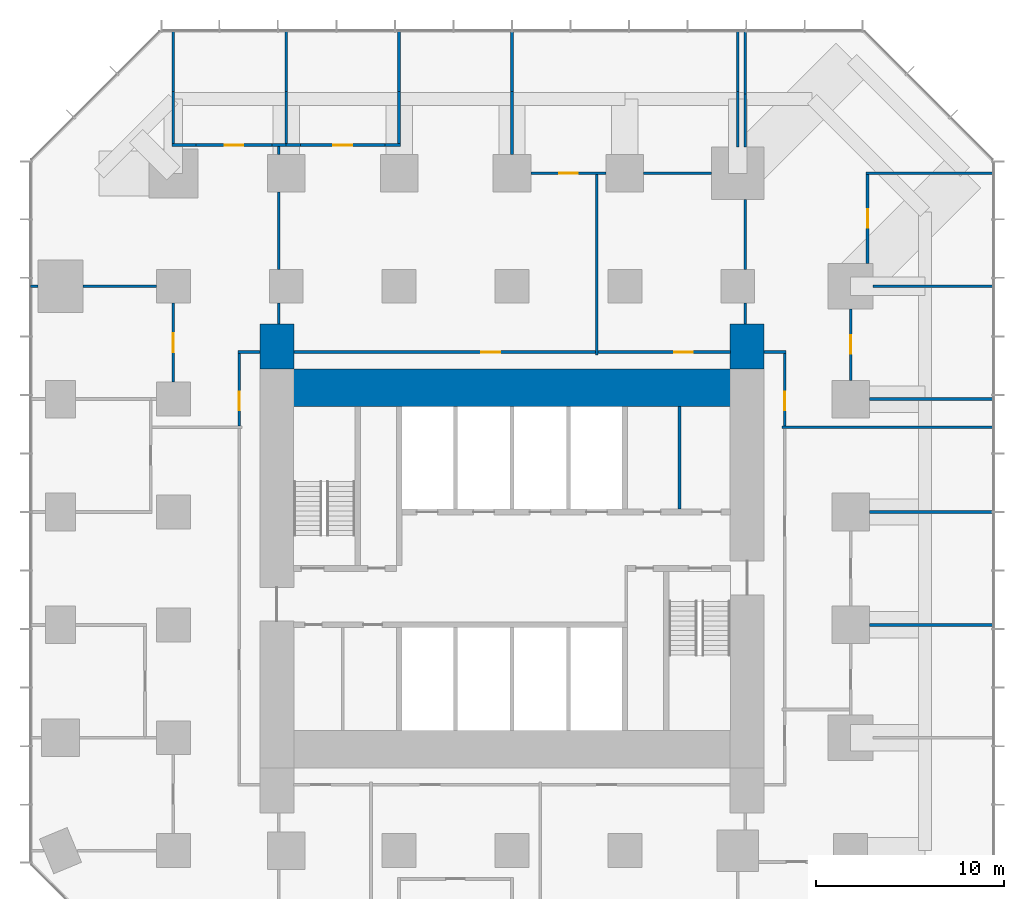
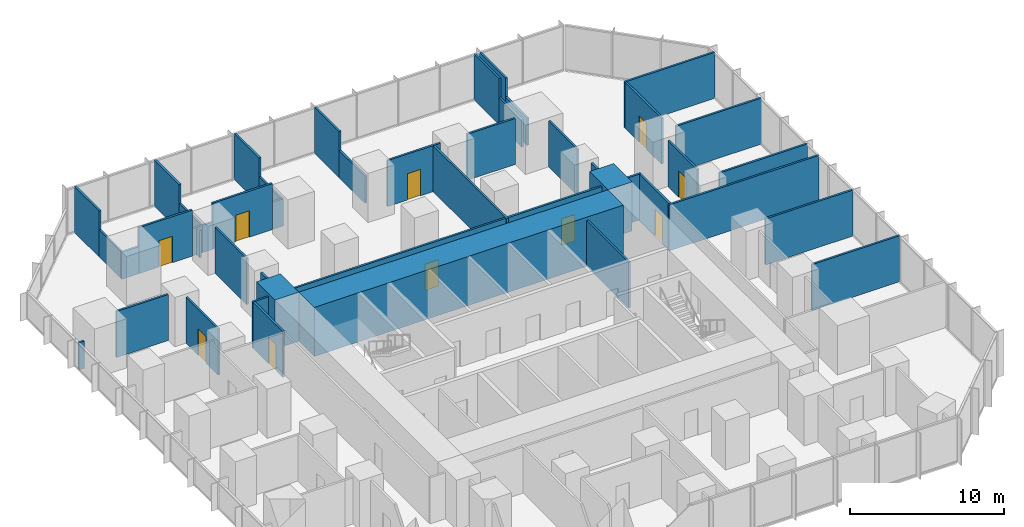
# One storey, part 11 of 13: 47 walls, 10 doors, 10 openings.
"""IFC4 building model written with IfcOpenShell, lengths in metres."""

import ifcopenshell
import ifcopenshell.guid

model = None  # the IFC model being written
_history = None  # IfcOwnerHistory: only IFC2X3 demands one
_inside = {}  # id of a spatial element -> (the spatial element, [elements in it])
_under = {}  # id of a project, library or spatial element -> (it, [spatial elements below it])
_declared = {}  # id of a project -> (the project, [libraries it declares])
_typed = {}  # id of a type object -> (the type object, [elements of that type])
_made_of = {}  # id of a material, layer set ... -> (it, [elements and type objects made of it])


def new_model(schema):
    """Start an empty IFC model of exactly this schema.

    Asked for "IFC4X3", IfcOpenShell would pick the latest addendum, in which some entities
    have other attributes; the version numbers below select the first issue.
    IFC2X3 requires an IfcOwnerHistory on every rooted entity: one is made here for all.
    """
    global model, _history
    if schema == "IFC4X3":
        model = ifcopenshell.file(schema_version=(4, 3, 0, 0))
    else:
        model = ifcopenshell.file(schema=schema)
    _inside.clear()
    _under.clear()
    _declared.clear()
    _typed.clear()
    _made_of.clear()
    _history = None
    if model.schema == "IFC2X3":
        org = make("IfcOrganization", Name="unknown")
        user = make(
            "IfcPersonAndOrganization",
            ThePerson=make("IfcPerson", FamilyName="unknown"),
            TheOrganization=org,
        )
        app = make(
            "IfcApplication",
            ApplicationDeveloper=org,
            Version="unknown",
            ApplicationFullName="unknown",
            ApplicationIdentifier="unknown",
        )
        _history = make(
            "IfcOwnerHistory",
            OwningUser=user,
            OwningApplication=app,
            ChangeAction="ADDED",
            CreationDate=0,
        )
    return model


def make(cls, **values):
    """One entity of the class cls with the attributes given. An attribute that is None is left unset."""
    return model.create_entity(
        cls, **{name: value for name, value in values.items() if value is not None}
    )


def rooted(cls, **values):
    """An entity with a GlobalId (a new one), such as an element, a storey or a relation."""
    return make(cls, GlobalId=ifcopenshell.guid.new(), OwnerHistory=_history, **values)


def si_unit(unit_type, name, prefix=None):
    """IfcSIUnit, for example si_unit("LENGTHUNIT", "METRE", prefix="MILLI")."""
    return make("IfcSIUnit", UnitType=unit_type, Prefix=prefix, Name=name)


def assignment(units):
    """IfcUnitAssignment: the units of a project."""
    return None if units is None else make("IfcUnitAssignment", Units=units)


def point(xyz):
    """IfcCartesianPoint."""
    return None if xyz is None else make("IfcCartesianPoint", Coordinates=xyz)


def direction(xyz):
    """IfcDirection."""
    return None if xyz is None else make("IfcDirection", DirectionRatios=xyz)


def frame(location, z_axis=None, x_axis=None):
    """IfcAxis2Placement3D, a coordinate frame: its origin and axes. An axis left out is left unset."""
    return make(
        "IfcAxis2Placement3D",
        Location=point(location),
        Axis=direction(z_axis),
        RefDirection=direction(x_axis),
    )


def frame_2d(location, x_axis=None):
    """IfcAxis2Placement2D, a coordinate frame in the plane: its origin and x axis."""
    return make(
        "IfcAxis2Placement2D", Location=point(location), RefDirection=direction(x_axis)
    )


def origin():
    """The frame at (0, 0, 0) with its axes left unset."""
    return frame((0.0, 0.0, 0.0))


def place(relative_to, where):
    """IfcLocalPlacement: puts the frame where relative to a parent placement (None: the world)."""
    return make(
        "IfcLocalPlacement", PlacementRelTo=relative_to, RelativePlacement=where
    )


def context(
    kind, dimensions, precision=None, world=None, true_north=None, identifier=None
):
    """IfcGeometricRepresentationContext, for example the 3D "Model" context."""
    return make(
        "IfcGeometricRepresentationContext",
        ContextIdentifier=identifier,
        ContextType=kind,
        CoordinateSpaceDimension=dimensions,
        Precision=precision,
        WorldCoordinateSystem=world,
        TrueNorth=true_north,
    )


def subcontext(parent, identifier, kind, view, scale=None):
    """IfcGeometricRepresentationSubContext, for example "Body" below "Model"."""
    return make(
        "IfcGeometricRepresentationSubContext",
        ContextIdentifier=identifier,
        ContextType=kind,
        ParentContext=parent,
        TargetScale=scale,
        TargetView=view,
    )


def project(units=None, contexts=None):
    """IfcProject with its units and contexts."""
    return rooted(
        "IfcProject",
        Name="project",
        RepresentationContexts=contexts,
        UnitsInContext=assignment(units),
    )


def spatial(cls, under=None, at=None, **own):
    """A site, building, storey or space (cls), placed at a placement, below another one or the project."""
    s = rooted(cls, ObjectPlacement=at, **own)
    if under is not None:
        _under.setdefault(under.id(), (under, []))[1].append(s)
    return s


def profile(cls, at=None, kind="AREA", **sizes):
    """A parametric profile (cls). Its sizes go by their IFC names, for example OverallWidth=200.0."""
    return make(cls, ProfileType=kind, Position=at, **sizes)


def rectangle(**sizes):
    """IfcRectangleProfileDef."""
    return profile("IfcRectangleProfileDef", **sizes)


def extrude(swept, where, along, depth):
    """IfcExtrudedAreaSolid: the profile swept, set in the frame where, extruded along a direction by depth."""
    return make(
        "IfcExtrudedAreaSolid",
        SweptArea=swept,
        Position=where,
        ExtrudedDirection=direction(along),
        Depth=depth,
    )


def shape(context_of_items, identifier, shape_type, items):
    """IfcShapeRepresentation: the items that make up one representation, for example the "Body"."""
    return make(
        "IfcShapeRepresentation",
        ContextOfItems=context_of_items,
        RepresentationIdentifier=identifier,
        RepresentationType=shape_type,
        Items=items,
    )


def material(Name=None, Category=None):
    """IfcMaterial."""
    return make("IfcMaterial", Name=Name, Category=Category)


def layer(
    of_material, thickness, ventilated=None, Name=None, Category=None, Priority=None
):
    """IfcMaterialLayer: one layer of a wall or slab, of a material (None: an air gap)."""
    return make(
        "IfcMaterialLayer",
        Material=of_material,
        LayerThickness=thickness,
        IsVentilated=ventilated,
        Name=Name,
        Category=Category,
        Priority=Priority,
    )


def layer_set(layers, Name=None):
    """IfcMaterialLayerSet."""
    return make("IfcMaterialLayerSet", MaterialLayers=layers, LayerSetName=Name)


def made_of(thing, what):
    """Note that an element or type object is made of a material, layer set ...; save() writes the relation."""
    if what is not None:
        _made_of.setdefault(what.id(), (what, []))[1].append(thing)
    return thing


def type_object(cls, material=None, **own):
    """A type object (cls), such as IfcWallType, which elements share."""
    return made_of(rooted(cls, **own), material)


def element(
    cls,
    number,
    at=None,
    inside=None,
    cuts=None,
    type_object=None,
    material=None,
    context=None,
    identifier="Body",
    shape_type=None,
    held_by="IfcProductDefinitionShape",
    body=None,
    shapes=None,
    **own,
):
    """One element of the class cls, such as IfcWall. Its Tag is "e" and its number.

    at: its placement. inside: the storey or other place that contains it. cuts: it is an
    opening in that element (IfcRelVoidsElement). A single representation is given by context,
    identifier, shape_type and body (its items); several are given by shapes. held_by: the class
    of the entity that holds the representations. save() writes the other relations.
    """
    e = rooted(cls, Tag="e%d" % number, ObjectPlacement=at, **own)
    if body is not None:
        shapes = [shape(context, identifier, shape_type, body)]
    if shapes is not None:
        e.Representation = make(held_by, Representations=shapes)
    if inside is not None:
        _inside.setdefault(inside.id(), (inside, []))[1].append(e)
    if cuts is not None:
        rooted(
            "IfcRelVoidsElement", RelatingBuildingElement=cuts, RelatedOpeningElement=e
        )
    if type_object is not None:
        _typed.setdefault(type_object.id(), (type_object, []))[1].append(e)
    return made_of(e, material)


def fill(opening, filler):
    """IfcRelFillsElement: the door or window that sits in an opening."""
    return rooted(
        "IfcRelFillsElement",
        RelatingOpeningElement=opening,
        RelatedBuildingElement=filler,
    )


def aggregate(whole, parts):
    """IfcRelAggregates: a whole, such as a stair, and the parts it consists of."""
    return rooted("IfcRelAggregates", RelatingObject=whole, RelatedObjects=parts)


def save(model, path):
    """Write the relations noted so far, then the file.

    IfcRelAggregates (storeys below a building ...), IfcRelContainedInSpatialStructure (elements
    in a storey), IfcRelDefinesByType, IfcRelAssociatesMaterial and IfcRelDeclares: one each for
    every whole, place, type object, material and project.
    """
    for whole, parts in _under.values():
        aggregate(whole, parts)
    for where, things in _inside.values():
        rooted(
            "IfcRelContainedInSpatialStructure",
            RelatedElements=things,
            RelatingStructure=where,
        )
    for kind, things in _typed.values():
        rooted("IfcRelDefinesByType", RelatedObjects=things, RelatingType=kind)
    for what, things in _made_of.values():
        rooted("IfcRelAssociatesMaterial", RelatedObjects=things, RelatingMaterial=what)
    for by, libraries in _declared.values():
        rooted("IfcRelDeclares", RelatingContext=by, RelatedDefinitions=libraries)
    model.write(path)


model = new_model("IFC4")

# Units and contexts
model_context = context("Model", 3, precision=1e-05, world=origin(), true_north=direction((0.0, 1.0)))
body_context = subcontext(model_context, "Body", "Model", "MODEL_VIEW")
ifc_project = project(units=[si_unit("LENGTHUNIT", "METRE"), si_unit("AREAUNIT", "SQUARE_METRE"), si_unit("VOLUMEUNIT", "CUBIC_METRE"), si_unit("PLANEANGLEUNIT", "RADIAN"), si_unit("MASSUNIT", "GRAM", prefix="KILO")], contexts=[model_context])

# Site, building, storey
site_placement = place(None, origin())
site = spatial("IfcSite", under=ifc_project, at=site_placement, CompositionType="ELEMENT")
building_placement = place(site_placement, origin())
building = spatial("IfcBuilding", under=site, at=building_placement, Name="Highveld Stack Headquarters", CompositionType="ELEMENT")
storey_placement = place(building_placement, frame((0.0, 0.0, 84.5)))
storey = spatial("IfcBuildingStorey", under=building, at=storey_placement, Name="L20", CompositionType="ELEMENT", Elevation=84.5)

# Walls
ifc_material_1 = material(Name="Concrete C60/75", Category="concrete")
ifc_layer_1 = layer(ifc_material_1, 2.0)
ifc_layer_set_1 = layer_set([ifc_layer_1], Name="Concrete C60/75")
wall_type_1 = type_object("IfcWallType", Name="CORE WALL 2000 C60/75", PredefinedType="SHEAR", material=ifc_layer_set_1)
wall_1_placement = place(storey_placement, frame((-5.60009765625, 12.60009765625, 0.0), z_axis=(0.0, 0.0, 1.0), x_axis=(1.0, 0.0, 0.0)))
element("IfcWall", 1, at=wall_1_placement, inside=storey, type_object=wall_type_1, Name="Core wall N L20", PredefinedType="SHEAR", context=body_context, shape_type="SweptSolid", body=[
    extrude(rectangle(XDim=23.2001953125, YDim=2.0, at=frame_2d((11.60009765625, 0.0))), origin(), (0.0, 0.0, 1.0), 3.89990234375),
])
ifc_material_2 = material(Name="Concrete C60/75", Category="concrete")
ifc_layer_2 = layer(ifc_material_2, 1.800048828125)
ifc_layer_set_2 = layer_set([ifc_layer_2], Name="Concrete C60/75")
wall_type_2 = type_object("IfcWallType", Name="CORE WING WALL 1800 C60/75", PredefinedType="SHEAR", material=ifc_layer_set_2)
for number, where, z_axis, x_axis, name in (
    (2, (-6.5, 13.60009765625, 0.0), (0.0, 0.0, 1.0), (0.0, 1.0, 0.0), "Core wing wall WN L20"),
    (3, (18.5, 13.60009765625, 0.0), (0.0, 0.0, 1.0), (0.0, 1.0, 0.0), "Core wing wall EN L20"),
):
    element("IfcWall", number, at=place(storey_placement, frame(where, z_axis=z_axis, x_axis=x_axis)), inside=storey, type_object=wall_type_2, Name=name, PredefinedType="SHEAR", context=body_context, shape_type="SweptSolid", body=[
        extrude(rectangle(XDim=2.39990234375, YDim=1.800048828125, at=frame_2d((1.199951171875, 0.0))), origin(), (0.0, 0.0, 1.0), 3.89990234375),
    ])
ifc_material_3 = material(Name="Gypsum plasterboard on steel studs", Category="steel")
ifc_layer_3 = layer(ifc_material_3, 0.14990234375)
ifc_layer_set_3 = layer_set([ifc_layer_3], Name="Gypsum plasterboard on steel studs")
wall_type_3 = type_object("IfcWallType", Name="PARTITION 150 PLASTERBOARD", PredefinedType="PARTITIONING", material=ifc_layer_set_3)
wall_2_placement = place(storey_placement, frame((25.0, 0.0, 0.0), z_axis=(0.0, 0.0, 1.0), x_axis=(1.0, 0.0, 0.0)))
element("IfcWall", 4, at=wall_2_placement, inside=storey, type_object=wall_type_3, Name="Partition Meeting room / Office L20", PredefinedType="PARTITIONING", context=body_context, shape_type="SweptSolid", body=[
    extrude(rectangle(XDim=6.60009765625, YDim=0.14990234375, at=frame_2d((3.300048828125, 0.0))), origin(), (0.0, 0.0, 1.0), 3.64990234375),
])
wall_3_placement = place(storey_placement, frame((25.0, 6.0, 0.0), z_axis=(0.0, 0.0, 1.0), x_axis=(1.0, 0.0, 0.0)))
element("IfcWall", 5, at=wall_3_placement, inside=storey, type_object=wall_type_3, Name="Partition Office L20", PredefinedType="PARTITIONING", context=body_context, shape_type="SweptSolid", body=[
    extrude(rectangle(XDim=6.550048828125, YDim=0.14990234375, at=frame_2d((3.27490234375, 0.0))), origin(), (0.0, 0.0, 1.0), 3.64990234375),
])
wall_4_placement = place(storey_placement, frame((25.0, 12.0, 0.0), z_axis=(0.0, 0.0, 1.0), x_axis=(1.0, 0.0, 0.0)))
element("IfcWall", 6, at=wall_4_placement, inside=storey, type_object=wall_type_3, Name="Partition Office L20", PredefinedType="PARTITIONING", context=body_context, shape_type="SweptSolid", body=[
    extrude(rectangle(XDim=6.60009765625, YDim=0.14990234375, at=frame_2d((3.300048828125, 0.0))), origin(), (0.0, 0.0, 1.0), 3.64990234375),
])
wall_5_placement = place(storey_placement, frame((-19.60009765625, 18.0, 0.0), z_axis=(0.0, 0.0, 1.0), x_axis=(1.0, 0.0, 0.0)))
element("IfcWall", 7, at=wall_5_placement, inside=storey, type_object=wall_type_3, Name="Partition Office L20", PredefinedType="PARTITIONING", context=body_context, shape_type="SweptSolid", body=[
    extrude(rectangle(XDim=0.400146484375, YDim=0.14990234375, at=frame_2d((0.2001953125, 0.0))), origin(), (0.0, 0.0, 1.0), 2.14990234375),
])
wall_6_placement = place(storey_placement, frame((-16.800048828125, 18.0, 0.0), z_axis=(0.0, 0.0, 1.0), x_axis=(1.0, 0.0, 0.0)))
element("IfcWall", 8, at=wall_6_placement, inside=storey, type_object=wall_type_3, Name="Partition Office L20", PredefinedType="PARTITIONING", context=body_context, shape_type="SweptSolid", body=[
    extrude(rectangle(XDim=3.900146484375, YDim=0.14990234375, at=frame_2d((1.9501953125, 0.0))), origin(), (0.0, 0.0, 1.0), 3.64990234375),
])
wall_7_placement = place(storey_placement, frame((25.199951171875, 18.0, 0.0), z_axis=(0.0, 0.0, 1.0), x_axis=(1.0, 0.0, 0.0)))
element("IfcWall", 9, at=wall_7_placement, inside=storey, type_object=wall_type_3, Name="Partition Interview room / Office L20", PredefinedType="PARTITIONING", context=body_context, shape_type="SweptSolid", body=[
    extrude(rectangle(XDim=6.400146484375, YDim=0.14990234375, at=frame_2d((3.2001953125, 0.0))), origin(), (0.0, 0.0, 1.0), 3.64990234375),
])

# Wall, opening, door
wall_8_placement = place(storey_placement, frame((7.0, 24.0, 0.0), z_axis=(0.0, 0.0, 1.0), x_axis=(1.0, 0.0, 0.0)))
wall_8 = element("IfcWall", 10, at=wall_8_placement, inside=storey, type_object=wall_type_3, Name="Partition Team office L20", PredefinedType="PARTITIONING", context=body_context, shape_type="SweptSolid", body=[
    extrude(rectangle(XDim=4.0, YDim=0.14990234375, at=frame_2d((2.0, 0.0))), origin(), (0.0, 0.0, 1.0), 3.64990234375),
])
opening_1_placement = place(wall_8_placement, frame((1.5, 0.0, 0.0)))
opening_1 = element("IfcOpeningElement", 11, at=opening_1_placement, cuts=wall_8, Name="Opening L20-23", PredefinedType="OPENING", context=body_context, shape_type="SweptSolid", body=[
    extrude(rectangle(XDim=1.0, YDim=2.10009765625, at=frame_2d((0.5, 1.050048828125))), frame((0.0, 0.0849609375, 0.0), z_axis=(0.0, -1.0, 0.0), x_axis=(1.0, 0.0, 0.0)), (0.0, 0.0, 1.0), 0.169921875),
])
ifc_material_4 = material(Name="Timber door, oiled ash", Category="wood")
door_type = type_object("IfcDoorType", Name="ROOM DOOR D6 1000x2100", OperationType="SINGLE_SWING_LEFT", PredefinedType="DOOR", material=ifc_material_4)
door_1_placement = place(opening_1_placement, origin())
door_1 = element("IfcDoor", 12, at=door_1_placement, inside=storey, type_object=door_type, Name="Team office door 1 L20", OperationType="SINGLE_SWING_LEFT", OverallHeight=2.10009765625, OverallWidth=1.0, PredefinedType="DOOR", context=body_context, shape_type="SweptSolid", body=[
    extrude(rectangle(XDim=1.0, YDim=2.10009765625, at=frame_2d((0.5, 1.050048828125))), frame((0.0, 0.02490234375, 0.0), z_axis=(0.0, -1.0, 0.0), x_axis=(1.0, 0.0, 0.0)), (0.0, 0.0, 1.0), 0.050048828125),
])
fill(opening_1, door_1)

# Walls
wall_9_placement = place(storey_placement, frame((13.0, 24.0, 0.0), z_axis=(0.0, 0.0, 1.0), x_axis=(1.0, 0.0, 0.0)))
element("IfcWall", 13, at=wall_9_placement, inside=storey, type_object=wall_type_3, Name="Partition Team office L20", PredefinedType="PARTITIONING", context=body_context, shape_type="SweptSolid", body=[
    extrude(rectangle(XDim=3.60009765625, YDim=0.14990234375, at=frame_2d((1.800048828125, 0.0))), origin(), (0.0, 0.0, 1.0), 3.64990234375),
])
wall_10_placement = place(storey_placement, frame((24.824951171875, 24.0, 0.0), z_axis=(0.0, 0.0, 1.0), x_axis=(1.0, 0.0, 0.0)))
element("IfcWall", 14, at=wall_10_placement, inside=storey, type_object=wall_type_3, Name="Partition Interview room L20", PredefinedType="PARTITIONING", context=body_context, shape_type="SweptSolid", body=[
    extrude(rectangle(XDim=6.775146484375, YDim=0.14990234375, at=frame_2d((3.3876953125, 0.0))), origin(), (0.0, 0.0, 1.0), 3.64990234375),
])
wall_11_placement = place(storey_placement, frame((-12.074951171875, 25.5, 0.0), z_axis=(0.0, 0.0, 1.0), x_axis=(1.0, 0.0, 0.0)))
element("IfcWall", 15, at=wall_11_placement, inside=storey, type_object=wall_type_3, Name="Partition Quiet room L20", PredefinedType="PARTITIONING", context=body_context, shape_type="SweptSolid", body=[
    extrude(rectangle(XDim=1.284912109375, YDim=0.14990234375, at=frame_2d((0.642578125, 0.0))), origin(), (0.0, 0.0, 1.0), 2.14990234375),
])

# Wall, opening, door
wall_12_placement = place(storey_placement, frame((-10.7900390625, 25.5, 0.0), z_axis=(0.0, 0.0, 1.0), x_axis=(1.0, 0.0, 0.0)))
wall_12 = element("IfcWall", 16, at=wall_12_placement, inside=storey, type_object=wall_type_3, Name="Partition Quiet room L20", PredefinedType="PARTITIONING", context=body_context, shape_type="SweptSolid", body=[
    extrude(rectangle(XDim=4.030029296875, YDim=0.14990234375, at=frame_2d((2.01513671875, 0.0))), origin(), (0.0, 0.0, 1.0), 3.64990234375),
])
opening_2_placement = place(wall_12_placement, frame((1.514892578125, 0.0, 0.0)))
opening_2 = element("IfcOpeningElement", 17, at=opening_2_placement, cuts=wall_12, Name="Opening L20-21", PredefinedType="OPENING", context=body_context, shape_type="SweptSolid", body=[
    extrude(rectangle(XDim=1.0, YDim=2.10009765625, at=frame_2d((0.5, 1.050048828125))), frame((0.0, 0.0849609375, 0.0), z_axis=(0.0, -1.0, 0.0), x_axis=(1.0, 0.0, 0.0)), (0.0, 0.0, 1.0), 0.169921875),
])
door_2_placement = place(opening_2_placement, origin())
door_2 = element("IfcDoor", 18, at=door_2_placement, inside=storey, type_object=door_type, Name="Quiet room door 1 L20", OperationType="SINGLE_SWING_LEFT", OverallHeight=2.10009765625, OverallWidth=1.0, PredefinedType="DOOR", context=body_context, shape_type="SweptSolid", body=[
    extrude(rectangle(XDim=1.0, YDim=2.10009765625, at=frame_2d((0.5, 1.050048828125))), frame((0.0, 0.02490234375, 0.0), z_axis=(0.0, -1.0, 0.0), x_axis=(1.0, 0.0, 0.0)), (0.0, 0.0, 1.0), 0.050048828125),
])
fill(opening_2, door_2)

# Walls
wall_13_placement = place(storey_placement, frame((-6.760009765625, 25.5, 0.0), z_axis=(0.0, 0.0, 1.0), x_axis=(1.0, 0.0, 0.0)))
element("IfcWall", 19, at=wall_13_placement, inside=storey, type_object=wall_type_3, Name="Partition Quiet room L20", PredefinedType="PARTITIONING", context=body_context, shape_type="SweptSolid", body=[
    extrude(rectangle(XDim=0.8349609375, YDim=0.14990234375, at=frame_2d((0.41748046875, 0.0))), origin(), (0.0, 0.0, 1.0), 2.14990234375),
])
wall_14_placement = place(storey_placement, frame((-6.0, 25.5, 0.0), z_axis=(0.0, 0.0, 1.0), x_axis=(1.0, 0.0, 0.0)))
element("IfcWall", 20, at=wall_14_placement, inside=storey, type_object=wall_type_3, Name="Partition Quiet room L20", PredefinedType="PARTITIONING", context=body_context, shape_type="SweptSolid", body=[
    extrude(rectangle(XDim=0.760009765625, YDim=0.14990234375, at=frame_2d((0.3798828125, 0.0))), origin(), (0.0, 0.0, 1.0), 2.14990234375),
])

# Wall, opening, door
wall_15_placement = place(storey_placement, frame((-5.239990234375, 25.5, 0.0), z_axis=(0.0, 0.0, 1.0), x_axis=(1.0, 0.0, 0.0)))
wall_15 = element("IfcWall", 21, at=wall_15_placement, inside=storey, type_object=wall_type_3, Name="Partition Quiet room L20", PredefinedType="PARTITIONING", context=body_context, shape_type="SweptSolid", body=[
    extrude(rectangle(XDim=4.47998046875, YDim=0.14990234375, at=frame_2d((2.239990234375, 0.0))), origin(), (0.0, 0.0, 1.0), 3.64990234375),
])
opening_3_placement = place(wall_15_placement, frame((1.739990234375, 0.0, 0.0)))
opening_3 = element("IfcOpeningElement", 22, at=opening_3_placement, cuts=wall_15, Name="Opening L20-22", PredefinedType="OPENING", context=body_context, shape_type="SweptSolid", body=[
    extrude(rectangle(XDim=1.0, YDim=2.10009765625, at=frame_2d((0.5, 1.050048828125))), frame((0.0, 0.0849609375, 0.0), z_axis=(0.0, -1.0, 0.0), x_axis=(1.0, 0.0, 0.0)), (0.0, 0.0, 1.0), 0.169921875),
])
door_3_placement = place(opening_3_placement, origin())
door_3 = element("IfcDoor", 23, at=door_3_placement, inside=storey, type_object=door_type, Name="Quiet room door 1 L20", OperationType="SINGLE_SWING_RIGHT", OverallHeight=2.10009765625, OverallWidth=1.0, PredefinedType="DOOR", context=body_context, shape_type="SweptSolid", body=[
    extrude(rectangle(XDim=1.0, YDim=2.10009765625, at=frame_2d((0.5, 1.050048828125))), frame((0.0, 0.02490234375, 0.0), z_axis=(0.0, -1.0, 0.0), x_axis=(1.0, 0.0, 0.0)), (0.0, 0.0, 1.0), 0.050048828125),
])
fill(opening_3, door_3)

# Wall
wall_16_placement = place(storey_placement, frame((-0.760009765625, 25.5, 0.0), z_axis=(0.0, 0.0, 1.0), x_axis=(1.0, 0.0, 0.0)))
element("IfcWall", 24, at=wall_16_placement, inside=storey, type_object=wall_type_3, Name="Partition Quiet room L20", PredefinedType="PARTITIONING", context=body_context, shape_type="SweptSolid", body=[
    extrude(rectangle(XDim=0.8349609375, YDim=0.14990234375, at=frame_2d((0.41748046875, 0.0))), origin(), (0.0, 0.0, 1.0), 2.14990234375),
])

# Wall, opening, door
wall_17_placement = place(storey_placement, frame((-12.0, 12.89990234375, 0.0), z_axis=(0.0, 0.0, 1.0), x_axis=(0.0, 1.0, 0.0)))
wall_17 = element("IfcWall", 25, at=wall_17_placement, inside=storey, type_object=wall_type_3, Name="Partition Office L20", PredefinedType="PARTITIONING", context=body_context, shape_type="SweptSolid", body=[
    extrude(rectangle(XDim=4.2001953125, YDim=0.14990234375, at=frame_2d((2.10009765625, 0.0))), origin(), (0.0, 0.0, 1.0), 3.64990234375),
])
opening_4_placement = place(wall_17_placement, frame((1.60009765625, 0.0, 0.0)))
opening_4 = element("IfcOpeningElement", 26, at=opening_4_placement, cuts=wall_17, Name="Opening L20-16", PredefinedType="OPENING", context=body_context, shape_type="SweptSolid", body=[
    extrude(rectangle(XDim=1.0, YDim=2.10009765625, at=frame_2d((0.5, 1.050048828125))), frame((0.0, 0.0849609375, 0.0), z_axis=(0.0, -1.0, 0.0), x_axis=(1.0, 0.0, 0.0)), (0.0, 0.0, 1.0), 0.169921875),
])
door_4_placement = place(opening_4_placement, origin())
door_4 = element("IfcDoor", 27, at=door_4_placement, inside=storey, type_object=door_type, Name="Office door 1 L20", OperationType="SINGLE_SWING_RIGHT", OverallHeight=2.10009765625, OverallWidth=1.0, PredefinedType="DOOR", context=body_context, shape_type="SweptSolid", body=[
    extrude(rectangle(XDim=1.0, YDim=2.10009765625, at=frame_2d((0.5, 1.050048828125))), frame((0.0, 0.02490234375, 0.0), z_axis=(0.0, -1.0, 0.0), x_axis=(1.0, 0.0, 0.0)), (0.0, 0.0, 1.0), 0.050048828125),
])
fill(opening_4, door_4)

# Walls
wall_18_placement = place(storey_placement, frame((-12.0, 25.574951171875, 0.0), z_axis=(0.0, 0.0, 1.0), x_axis=(0.0, 1.0, 0.0)))
element("IfcWall", 28, at=wall_18_placement, inside=storey, type_object=wall_type_3, Name="Partition Quiet room L20", PredefinedType="PARTITIONING", context=body_context, shape_type="SweptSolid", body=[
    extrude(rectangle(XDim=2.78515625, YDim=0.14990234375, at=frame_2d((1.392578125, 0.0))), origin(), (0.0, 0.0, 1.0), 2.14990234375),
])
wall_19_placement = place(storey_placement, frame((-12.0, 28.360107421875, 0.0), z_axis=(0.0, 0.0, 1.0), x_axis=(0.0, 1.0, 0.0)))
element("IfcWall", 29, at=wall_19_placement, inside=storey, type_object=wall_type_3, Name="Partition Quiet room L20", PredefinedType="PARTITIONING", context=body_context, shape_type="SweptSolid", body=[
    extrude(rectangle(XDim=3.239990234375, YDim=0.14990234375, at=frame_2d((1.6201171875, 0.0))), origin(), (0.0, 0.0, 1.0), 3.64990234375),
])
wall_20_placement = place(storey_placement, frame((-6.0, 25.574951171875, 0.0), z_axis=(0.0, 0.0, 1.0), x_axis=(0.0, 1.0, 0.0)))
element("IfcWall", 30, at=wall_20_placement, inside=storey, type_object=wall_type_3, Name="Partition Quiet room L20", PredefinedType="PARTITIONING", context=body_context, shape_type="SweptSolid", body=[
    extrude(rectangle(XDim=2.78515625, YDim=0.14990234375, at=frame_2d((1.392578125, 0.0))), origin(), (0.0, 0.0, 1.0), 2.14990234375),
])
wall_21_placement = place(storey_placement, frame((-6.0, 28.360107421875, 0.0), z_axis=(0.0, 0.0, 1.0), x_axis=(0.0, 1.0, 0.0)))
element("IfcWall", 31, at=wall_21_placement, inside=storey, type_object=wall_type_3, Name="Partition Quiet room L20", PredefinedType="PARTITIONING", context=body_context, shape_type="SweptSolid", body=[
    extrude(rectangle(XDim=3.239990234375, YDim=0.14990234375, at=frame_2d((1.6201171875, 0.0))), origin(), (0.0, 0.0, 1.0), 3.64990234375),
])
wall_22_placement = place(storey_placement, frame((0.0, 25.574951171875, 0.0), z_axis=(0.0, 0.0, 1.0), x_axis=(0.0, 1.0, 0.0)))
element("IfcWall", 32, at=wall_22_placement, inside=storey, type_object=wall_type_3, Name="Partition Quiet room L20", PredefinedType="PARTITIONING", context=body_context, shape_type="SweptSolid", body=[
    extrude(rectangle(XDim=2.78515625, YDim=0.14990234375, at=frame_2d((1.392578125, 0.0))), origin(), (0.0, 0.0, 1.0), 2.14990234375),
])
wall_23_placement = place(storey_placement, frame((0.0, 28.360107421875, 0.0), z_axis=(0.0, 0.0, 1.0), x_axis=(0.0, 1.0, 0.0)))
element("IfcWall", 33, at=wall_23_placement, inside=storey, type_object=wall_type_3, Name="Partition Quiet room L20", PredefinedType="PARTITIONING", context=body_context, shape_type="SweptSolid", body=[
    extrude(rectangle(XDim=3.239990234375, YDim=0.14990234375, at=frame_2d((1.6201171875, 0.0))), origin(), (0.0, 0.0, 1.0), 3.64990234375),
])
wall_24_placement = place(storey_placement, frame((6.0, 25.0, 0.0), z_axis=(0.0, 0.0, 1.0), x_axis=(0.0, 1.0, 0.0)))
element("IfcWall", 34, at=wall_24_placement, inside=storey, type_object=wall_type_3, Name="Partition Team office L20", PredefinedType="PARTITIONING", context=body_context, shape_type="SweptSolid", body=[
    extrude(rectangle(XDim=3.360107421875, YDim=0.14990234375, at=frame_2d((1.68017578125, 0.0))), origin(), (0.0, 0.0, 1.0), 2.14990234375),
])
wall_25_placement = place(storey_placement, frame((6.0, 28.360107421875, 0.0), z_axis=(0.0, 0.0, 1.0), x_axis=(0.0, 1.0, 0.0)))
element("IfcWall", 35, at=wall_25_placement, inside=storey, type_object=wall_type_3, Name="Partition Team office L20", PredefinedType="PARTITIONING", context=body_context, shape_type="SweptSolid", body=[
    extrude(rectangle(XDim=3.18994140625, YDim=0.14990234375, at=frame_2d((1.594970703125, 0.0))), origin(), (0.0, 0.0, 1.0), 3.64990234375),
])
wall_26_placement = place(storey_placement, frame((18.0, 25.39990234375, 0.0), z_axis=(0.0, 0.0, 1.0), x_axis=(0.0, 1.0, 0.0)))
element("IfcWall", 36, at=wall_26_placement, inside=storey, type_object=wall_type_3, Name="Partition Team office L20", PredefinedType="PARTITIONING", context=body_context, shape_type="SweptSolid", body=[
    extrude(rectangle(XDim=2.960205078125, YDim=0.14990234375, at=frame_2d((1.47998046875, 0.0))), origin(), (0.0, 0.0, 1.0), 2.14990234375),
])
wall_27_placement = place(storey_placement, frame((18.0, 28.360107421875, 0.0), z_axis=(0.0, 0.0, 1.0), x_axis=(0.0, 1.0, 0.0)))
element("IfcWall", 37, at=wall_27_placement, inside=storey, type_object=wall_type_3, Name="Partition Team office L20", PredefinedType="PARTITIONING", context=body_context, shape_type="SweptSolid", body=[
    extrude(rectangle(XDim=3.239990234375, YDim=0.14990234375, at=frame_2d((1.6201171875, 0.0))), origin(), (0.0, 0.0, 1.0), 3.64990234375),
])

# Wall, opening, door
wall_28_placement = place(storey_placement, frame((24.0, 13.0, 0.0), z_axis=(0.0, 0.0, 1.0), x_axis=(0.0, 1.0, 0.0)))
wall_28 = element("IfcWall", 38, at=wall_28_placement, inside=storey, type_object=wall_type_3, Name="Partition Office L20", PredefinedType="PARTITIONING", context=body_context, shape_type="SweptSolid", body=[
    extrude(rectangle(XDim=3.800048828125, YDim=0.14990234375, at=frame_2d((1.89990234375, 0.0))), origin(), (0.0, 0.0, 1.0), 3.64990234375),
])
opening_5_placement = place(wall_28_placement, frame((1.39990234375, 0.0, 0.0)))
opening_5 = element("IfcOpeningElement", 39, at=opening_5_placement, cuts=wall_28, Name="Opening L20-19", PredefinedType="OPENING", context=body_context, shape_type="SweptSolid", body=[
    extrude(rectangle(XDim=1.0, YDim=2.10009765625, at=frame_2d((0.5, 1.050048828125))), frame((0.0, 0.0849609375, 0.0), z_axis=(0.0, -1.0, 0.0), x_axis=(1.0, 0.0, 0.0)), (0.0, 0.0, 1.0), 0.169921875),
])
door_5_placement = place(opening_5_placement, origin())
door_5 = element("IfcDoor", 40, at=door_5_placement, inside=storey, type_object=door_type, Name="Office door 1 L20", OperationType="SINGLE_SWING_LEFT", OverallHeight=2.10009765625, OverallWidth=1.0, PredefinedType="DOOR", context=body_context, shape_type="SweptSolid", body=[
    extrude(rectangle(XDim=1.0, YDim=2.10009765625, at=frame_2d((0.5, 1.050048828125))), frame((0.0, 0.02490234375, 0.0), z_axis=(0.0, -1.0, 0.0), x_axis=(1.0, 0.0, 0.0)), (0.0, 0.0, 1.0), 0.050048828125),
])
fill(opening_5, door_5)

wall_29_placement = place(storey_placement, frame((24.89990234375, 19.199951171875, 0.0), z_axis=(0.0, 0.0, 1.0), x_axis=(0.0, 1.0, 0.0)))
wall_29 = element("IfcWall", 41, at=wall_29_placement, inside=storey, type_object=wall_type_3, Name="Partition Interview room L20", PredefinedType="PARTITIONING", context=body_context, shape_type="SweptSolid", body=[
    extrude(rectangle(XDim=4.72509765625, YDim=0.14990234375, at=frame_2d((2.362548828125, 0.0))), origin(), (0.0, 0.0, 1.0), 3.64990234375),
])
opening_6_placement = place(wall_29_placement, frame((1.89990234375, 0.0, 0.0)))
opening_6 = element("IfcOpeningElement", 42, at=opening_6_placement, cuts=wall_29, Name="Opening L20-20", PredefinedType="OPENING", context=body_context, shape_type="SweptSolid", body=[
    extrude(rectangle(XDim=1.0, YDim=2.10009765625, at=frame_2d((0.5, 1.050048828125))), frame((0.0, 0.0849609375, 0.0), z_axis=(0.0, -1.0, 0.0), x_axis=(1.0, 0.0, 0.0)), (0.0, 0.0, 1.0), 0.169921875),
])
door_6_placement = place(opening_6_placement, origin())
door_6 = element("IfcDoor", 43, at=door_6_placement, inside=storey, type_object=door_type, Name="Interview room door 1 L20", OperationType="SINGLE_SWING_RIGHT", OverallHeight=2.10009765625, OverallWidth=1.0, PredefinedType="DOOR", context=body_context, shape_type="SweptSolid", body=[
    extrude(rectangle(XDim=1.0, YDim=2.10009765625, at=frame_2d((0.5, 1.050048828125))), frame((0.0, 0.02490234375, 0.0), z_axis=(0.0, -1.0, 0.0), x_axis=(1.0, 0.0, 0.0)), (0.0, 0.0, 1.0), 0.050048828125),
])
fill(opening_6, door_6)

wall_30_placement = place(storey_placement, frame((-8.5, 10.574951171875, 0.0), z_axis=(0.0, 0.0, 1.0), x_axis=(0.0, 1.0, 0.0)))
wall_30 = element("IfcWall", 44, at=wall_30_placement, inside=storey, type_object=wall_type_3, Name="Partition office neighbourhood L20", PredefinedType="PARTITIONING", context=body_context, shape_type="SweptSolid", body=[
    extrude(rectangle(XDim=3.85009765625, YDim=0.14990234375, at=frame_2d((1.925048828125, 0.0))), origin(), (0.0, 0.0, 1.0), 3.64990234375),
])
opening_7_placement = place(wall_30_placement, frame((0.824951171875, 0.0, 0.0)))
opening_7 = element("IfcOpeningElement", 45, at=opening_7_placement, cuts=wall_30, Name="Opening L20-27", PredefinedType="OPENING", context=body_context, shape_type="SweptSolid", body=[
    extrude(rectangle(XDim=1.0, YDim=2.10009765625, at=frame_2d((0.5, 1.050048828125))), frame((0.0, 0.0849609375, 0.0), z_axis=(0.0, -1.0, 0.0), x_axis=(1.0, 0.0, 0.0)), (0.0, 0.0, 1.0), 0.169921875),
])
door_7_placement = place(opening_7_placement, origin())
door_7 = element("IfcDoor", 46, at=door_7_placement, inside=storey, type_object=door_type, Name="Office neighbourhood door L20", OperationType="SINGLE_SWING_LEFT", OverallHeight=2.10009765625, OverallWidth=1.0, PredefinedType="DOOR", context=body_context, shape_type="SweptSolid", body=[
    extrude(rectangle(XDim=1.0, YDim=2.10009765625, at=frame_2d((0.5, 1.050048828125))), frame((0.0, 0.02490234375, 0.0), z_axis=(0.0, -1.0, 0.0), x_axis=(1.0, 0.0, 0.0)), (0.0, 0.0, 1.0), 0.050048828125),
])
fill(opening_7, door_7)

# Walls
wall_31_placement = place(storey_placement, frame((-8.574951171875, 14.5, 0.0), z_axis=(0.0, 0.0, 1.0), x_axis=(1.0, 0.0, 0.0)))
element("IfcWall", 47, at=wall_31_placement, inside=storey, type_object=wall_type_3, Name="Partition office neighbourhood L20", PredefinedType="PARTITIONING", context=body_context, shape_type="SweptSolid", body=[
    extrude(rectangle(XDim=1.175048828125, YDim=0.14990234375, at=frame_2d((0.58740234375, 0.0))), origin(), (0.0, 0.0, 1.0), 3.64990234375),
])
wall_32_placement = place(storey_placement, frame((-6.39990234375, 16.0, 0.0), z_axis=(0.0, 0.0, 1.0), x_axis=(0.0, 1.0, 0.0)))
element("IfcWall", 48, at=wall_32_placement, inside=storey, type_object=wall_type_3, Name="Partition office neighbourhood L20", PredefinedType="PARTITIONING", context=body_context, shape_type="SweptSolid", body=[
    extrude(rectangle(XDim=1.10009765625, YDim=0.14990234375, at=frame_2d((0.550048828125, 0.0))), origin(), (0.0, 0.0, 1.0), 3.64990234375),
])
wall_33_placement = place(storey_placement, frame((-6.39990234375, 18.89990234375, 0.0), z_axis=(0.0, 0.0, 1.0), x_axis=(0.0, 1.0, 0.0)))
element("IfcWall", 49, at=wall_33_placement, inside=storey, type_object=wall_type_3, Name="Partition office neighbourhood L20", PredefinedType="PARTITIONING", context=body_context, shape_type="SweptSolid", body=[
    extrude(rectangle(XDim=4.10009765625, YDim=0.14990234375, at=frame_2d((2.050048828125, 0.0))), origin(), (0.0, 0.0, 1.0), 3.64990234375),
])
wall_34_placement = place(storey_placement, frame((-6.39990234375, 25.0, 0.0), z_axis=(0.0, 0.0, 1.0), x_axis=(0.0, 1.0, 0.0)))
element("IfcWall", 50, at=wall_34_placement, inside=storey, type_object=wall_type_3, Name="Partition office neighbourhood L20", PredefinedType="PARTITIONING", context=body_context, shape_type="SweptSolid", body=[
    extrude(rectangle(XDim=0.425048828125, YDim=0.14990234375, at=frame_2d((0.21240234375, 0.0))), origin(), (0.0, 0.0, 1.0), 2.14990234375),
])

# Wall, opening, door
wall_35_placement = place(storey_placement, frame((-5.60009765625, 14.5, 0.0), z_axis=(0.0, 0.0, 1.0), x_axis=(1.0, 0.0, 0.0)))
wall_35 = element("IfcWall", 51, at=wall_35_placement, inside=storey, type_object=wall_type_3, Name="Partition office neighbourhood L20", PredefinedType="PARTITIONING", context=body_context, shape_type="SweptSolid", body=[
    extrude(rectangle(XDim=16.025146484375, YDim=0.14990234375, at=frame_2d((8.0126953125, 0.0))), origin(), (0.0, 0.0, 1.0), 3.64990234375),
])
opening_8_placement = place(wall_35_placement, frame((9.965087890625, 0.0, 0.0)))
opening_8 = element("IfcOpeningElement", 52, at=opening_8_placement, cuts=wall_35, Name="Opening L20-33", PredefinedType="OPENING", context=body_context, shape_type="SweptSolid", body=[
    extrude(rectangle(XDim=1.0, YDim=2.10009765625, at=frame_2d((0.5, 1.050048828125))), frame((0.0, 0.0849609375, 0.0), z_axis=(0.0, -1.0, 0.0), x_axis=(1.0, 0.0, 0.0)), (0.0, 0.0, 1.0), 0.169921875),
])
door_8_placement = place(opening_8_placement, origin())
door_8 = element("IfcDoor", 53, at=door_8_placement, inside=storey, type_object=door_type, Name="Office neighbourhood door L20", OperationType="SINGLE_SWING_RIGHT", OverallHeight=2.10009765625, OverallWidth=1.0, PredefinedType="DOOR", context=body_context, shape_type="SweptSolid", body=[
    extrude(rectangle(XDim=1.0, YDim=2.10009765625, at=frame_2d((0.5, 1.050048828125))), frame((0.0, 0.02490234375, 0.0), z_axis=(0.0, -1.0, 0.0), x_axis=(1.0, 0.0, 0.0)), (0.0, 0.0, 1.0), 0.050048828125),
])
fill(opening_8, door_8)

# Wall
wall_36_placement = place(storey_placement, frame((10.5, 14.35009765625, 0.0), z_axis=(0.0, 0.0, 1.0), x_axis=(0.0, 1.0, 0.0)))
element("IfcWall", 54, at=wall_36_placement, inside=storey, type_object=wall_type_3, Name="Partition office neighbourhood L20", PredefinedType="PARTITIONING", context=body_context, shape_type="SweptSolid", body=[
    extrude(rectangle(XDim=9.574951171875, YDim=0.14990234375, at=frame_2d((4.78759765625, 0.0))), origin(), (0.0, 0.0, 1.0), 3.64990234375),
])

# Wall, opening, door
wall_37_placement = place(storey_placement, frame((10.574951171875, 14.5, 0.0), z_axis=(0.0, 0.0, 1.0), x_axis=(1.0, 0.0, 0.0)))
wall_37 = element("IfcWall", 55, at=wall_37_placement, inside=storey, type_object=wall_type_3, Name="Partition office neighbourhood L20", PredefinedType="PARTITIONING", context=body_context, shape_type="SweptSolid", body=[
    extrude(rectangle(XDim=7.025146484375, YDim=0.14990234375, at=frame_2d((3.5126953125, 0.0))), origin(), (0.0, 0.0, 1.0), 3.64990234375),
])
opening_9_placement = place(wall_37_placement, frame((4.0400390625, 0.0, 0.0)))
opening_9 = element("IfcOpeningElement", 56, at=opening_9_placement, cuts=wall_37, Name="Opening L20-32", PredefinedType="OPENING", context=body_context, shape_type="SweptSolid", body=[
    extrude(rectangle(XDim=1.0, YDim=2.10009765625, at=frame_2d((0.5, 1.050048828125))), frame((0.0, 0.0849609375, 0.0), z_axis=(0.0, -1.0, 0.0), x_axis=(1.0, 0.0, 0.0)), (0.0, 0.0, 1.0), 0.169921875),
])
door_9_placement = place(opening_9_placement, origin())
door_9 = element("IfcDoor", 57, at=door_9_placement, inside=storey, type_object=door_type, Name="Office neighbourhood door L20", OperationType="SINGLE_SWING_RIGHT", OverallHeight=2.10009765625, OverallWidth=1.0, PredefinedType="DOOR", context=body_context, shape_type="SweptSolid", body=[
    extrude(rectangle(XDim=1.0, YDim=2.10009765625, at=frame_2d((0.5, 1.050048828125))), frame((0.0, 0.02490234375, 0.0), z_axis=(0.0, -1.0, 0.0), x_axis=(1.0, 0.0, 0.0)), (0.0, 0.0, 1.0), 0.050048828125),
])
fill(opening_9, door_9)

# Walls
wall_38_placement = place(storey_placement, frame((18.39990234375, 16.0, 0.0), z_axis=(0.0, 0.0, 1.0), x_axis=(0.0, 1.0, 0.0)))
element("IfcWall", 58, at=wall_38_placement, inside=storey, type_object=wall_type_3, Name="Partition office neighbourhood L20", PredefinedType="PARTITIONING", context=body_context, shape_type="SweptSolid", body=[
    extrude(rectangle(XDim=1.10009765625, YDim=0.14990234375, at=frame_2d((0.550048828125, 0.0))), origin(), (0.0, 0.0, 1.0), 3.64990234375),
])
wall_39_placement = place(storey_placement, frame((18.39990234375, 18.89990234375, 0.0), z_axis=(0.0, 0.0, 1.0), x_axis=(0.0, 1.0, 0.0)))
element("IfcWall", 59, at=wall_39_placement, inside=storey, type_object=wall_type_3, Name="Partition office neighbourhood L20", PredefinedType="PARTITIONING", context=body_context, shape_type="SweptSolid", body=[
    extrude(rectangle(XDim=3.7001953125, YDim=0.14990234375, at=frame_2d((1.85009765625, 0.0))), origin(), (0.0, 0.0, 1.0), 3.64990234375),
])
wall_40_placement = place(storey_placement, frame((18.39990234375, 25.39990234375, 0.0), z_axis=(0.0, 0.0, 1.0), x_axis=(0.0, 1.0, 0.0)))
element("IfcWall", 60, at=wall_40_placement, inside=storey, type_object=wall_type_3, Name="Partition office neighbourhood L20", PredefinedType="PARTITIONING", context=body_context, shape_type="SweptSolid", body=[
    extrude(rectangle(XDim=2.810791015625, YDim=0.14990234375, at=frame_2d((1.4052734375, 0.0))), origin(), (0.0, 0.0, 1.0), 2.14990234375),
])
wall_41_placement = place(storey_placement, frame((18.39990234375, 28.210693359375, 0.0), z_axis=(0.0, 0.0, 1.0), x_axis=(0.0, 1.0, 0.0)))
element("IfcWall", 61, at=wall_41_placement, inside=storey, type_object=wall_type_3, Name="Partition office neighbourhood L20", PredefinedType="PARTITIONING", context=body_context, shape_type="SweptSolid", body=[
    extrude(rectangle(XDim=3.33935546875, YDim=0.14990234375, at=frame_2d((1.669677734375, 0.0))), origin(), (0.0, 0.0, 1.0), 3.64990234375),
])
wall_42_placement = place(storey_placement, frame((19.39990234375, 14.5, 0.0), z_axis=(0.0, 0.0, 1.0), x_axis=(1.0, 0.0, 0.0)))
element("IfcWall", 62, at=wall_42_placement, inside=storey, type_object=wall_type_3, Name="Partition office neighbourhood L20", PredefinedType="PARTITIONING", context=body_context, shape_type="SweptSolid", body=[
    extrude(rectangle(XDim=1.175048828125, YDim=0.14990234375, at=frame_2d((0.58740234375, 0.0))), origin(), (0.0, 0.0, 1.0), 3.64990234375),
])

# Wall, opening, door
wall_43_placement = place(storey_placement, frame((20.5, 10.574951171875, 0.0), z_axis=(0.0, 0.0, 1.0), x_axis=(0.0, 1.0, 0.0)))
wall_43 = element("IfcWall", 63, at=wall_43_placement, inside=storey, type_object=wall_type_3, Name="Partition office neighbourhood L20", PredefinedType="PARTITIONING", context=body_context, shape_type="SweptSolid", body=[
    extrude(rectangle(XDim=3.85009765625, YDim=0.14990234375, at=frame_2d((1.925048828125, 0.0))), origin(), (0.0, 0.0, 1.0), 3.64990234375),
])
opening_10_placement = place(wall_43_placement, frame((0.824951171875, 0.0, 0.0)))
opening_10 = element("IfcOpeningElement", 64, at=opening_10_placement, cuts=wall_43, Name="Opening L20-28", PredefinedType="OPENING", context=body_context, shape_type="SweptSolid", body=[
    extrude(rectangle(XDim=1.0, YDim=2.10009765625, at=frame_2d((0.5, 1.050048828125))), frame((0.0, 0.0849609375, 0.0), z_axis=(0.0, -1.0, 0.0), x_axis=(1.0, 0.0, 0.0)), (0.0, 0.0, 1.0), 0.169921875),
])
door_10_placement = place(opening_10_placement, origin())
door_10 = element("IfcDoor", 65, at=door_10_placement, inside=storey, type_object=door_type, Name="Office neighbourhood door L20", OperationType="SINGLE_SWING_LEFT", OverallHeight=2.10009765625, OverallWidth=1.0, PredefinedType="DOOR", context=body_context, shape_type="SweptSolid", body=[
    extrude(rectangle(XDim=1.0, YDim=2.10009765625, at=frame_2d((0.5, 1.050048828125))), frame((0.0, 0.02490234375, 0.0), z_axis=(0.0, -1.0, 0.0), x_axis=(1.0, 0.0, 0.0)), (0.0, 0.0, 1.0), 0.050048828125),
])
fill(opening_10, door_10)

# Walls
wall_44_placement = place(storey_placement, frame((20.35009765625, 10.5, 0.0), z_axis=(0.0, 0.0, 1.0), x_axis=(1.0, 0.0, 0.0)))
element("IfcWall", 66, at=wall_44_placement, inside=storey, type_object=wall_type_3, Name="Partition office neighbourhood L20", PredefinedType="PARTITIONING", context=body_context, shape_type="SweptSolid", body=[
    extrude(rectangle(XDim=11.25, YDim=0.14990234375, at=frame_2d((5.625, 0.0))), origin(), (0.0, 0.0, 1.0), 3.64990234375),
])
ifc_material_5 = material(Name="Concrete blockwork, tiled", Category="masonry")
ifc_layer_4 = layer(ifc_material_5, 0.14990234375)
ifc_layer_set_4 = layer_set([ifc_layer_4], Name="Concrete blockwork, tiled")
wall_type_4 = type_object("IfcWallType", Name="WC PARTITION 150", PredefinedType="PLUMBINGWALL", material=ifc_layer_set_4)
wall_45_placement = place(storey_placement, frame((14.89990234375, 6.14990234375, 0.0), z_axis=(0.0, 0.0, 1.0), x_axis=(0.0, 1.0, 0.0)))
element("IfcWall", 67, at=wall_45_placement, inside=storey, type_object=wall_type_4, Name="Toilet partition L20", PredefinedType="PLUMBINGWALL", context=body_context, shape_type="SweptSolid", body=[
    extrude(rectangle(XDim=5.4501953125, YDim=0.14990234375, at=frame_2d((2.72509765625, 0.0))), origin(), (0.0, 0.0, 1.0), 3.64990234375),
])

save(model, "model.ifc")
